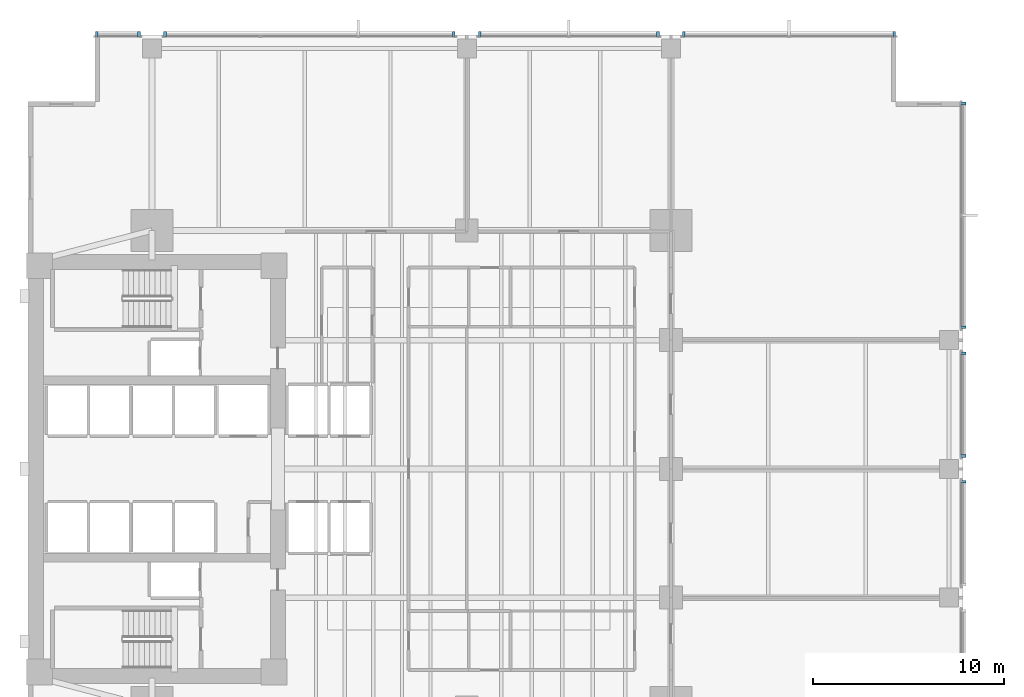
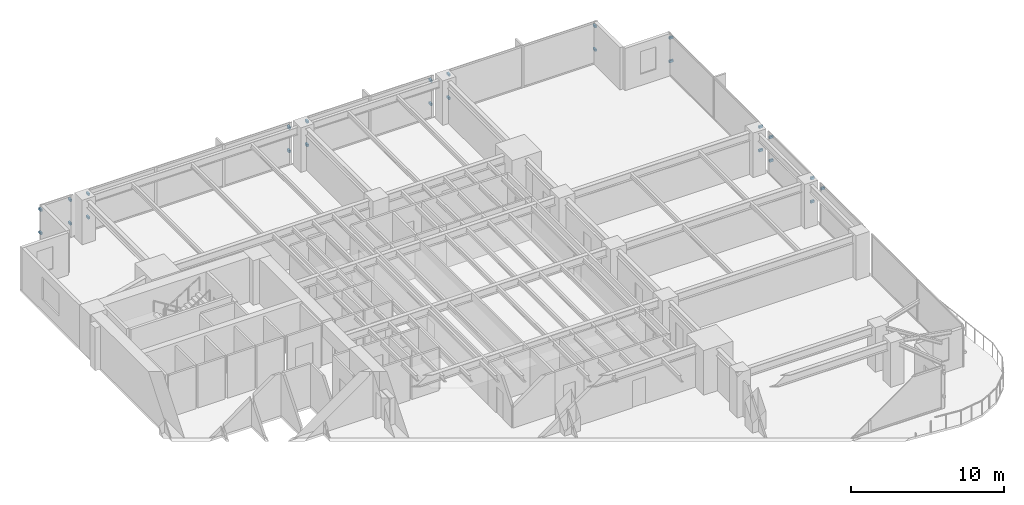
# One storey, part 11 of 15: 25 discrete accessories.
"""IFC4 building model written with IfcOpenShell, lengths in metres."""

from ifc_helpers import new_model, si_unit, direction, frame, origin, origin_2d, place, context, subcontext, project, spatial, rectangle, extrude, material, type_object, element, save


model = new_model("IFC4")

# Units and contexts
model_context = context("Model", 3, precision=1e-05, world=origin(), true_north=direction((0.0, 1.0)))
body_context = subcontext(model_context, "Body", "Model", "MODEL_VIEW")
ifc_project = project(units=[si_unit("LENGTHUNIT", "METRE"), si_unit("AREAUNIT", "SQUARE_METRE"), si_unit("VOLUMEUNIT", "CUBIC_METRE"), si_unit("PLANEANGLEUNIT", "RADIAN"), si_unit("MASSUNIT", "GRAM", prefix="KILO")], contexts=[model_context])

# Site, building, storey
site_placement = place(None, origin())
site = spatial("IfcSite", under=ifc_project, at=site_placement, CompositionType="ELEMENT")
building_placement = place(site_placement, origin())
building = spatial("IfcBuilding", under=site, at=building_placement, Name="Kinhvarn Gate Tower", CompositionType="ELEMENT")
storey_placement = place(building_placement, frame((0.0, 0.0, 32.699951171875)))
storey = spatial("IfcBuildingStorey", under=building, at=storey_placement, Name="L07", CompositionType="ELEMENT", Elevation=32.699951171875)

# Discrete accessories
ifc_material = material(Name="Anodised aluminium AW-6063", Category="aluminium")
discrete_accessory_type = type_object("IfcDiscreteAccessoryType", Name="ACC-BRK-01", PredefinedType="BRACKET", material=ifc_material)
for number, where, z_axis, x_axis, name in (
    (1, (49.89990234375, 48.0400390625, 0.9599609375), (0.0, 0.0, 1.0), (-1.0, 0.0, 0.0), "Baguette Support Bracket BK-01 (L07)"),
    (2, (49.89990234375, 48.0400390625, 2.830078125), (0.0, 0.0, 1.0), (-1.0, 0.0, 0.0), "Baguette Support Bracket BK-01 (L07)"),
    (3, (38.8798828125, 48.0400390625, 0.9599609375), (0.0, 0.0, 1.0), (-1.0, 0.0, 0.0), "Baguette Support Bracket BK-01 (L07)"),
    (4, (38.8798828125, 48.0400390625, 2.830078125), (0.0, 0.0, 1.0), (-1.0, 0.0, 0.0), "Baguette Support Bracket BK-01 (L07)"),
    (5, (37.52001953125, 48.0400390625, 0.9599609375), (0.0, 0.0, 1.0), (-1.0, 0.0, 0.0), "Baguette Support Bracket BK-01 (L07)"),
    (6, (37.52001953125, 48.0400390625, 2.830078125), (0.0, 0.0, 1.0), (-1.0, 0.0, 0.0), "Baguette Support Bracket BK-01 (L07)"),
    (7, (28.179931640625, 48.0400390625, 0.9599609375), (0.0, 0.0, 1.0), (-1.0, 0.0, 0.0), "Baguette Support Bracket BK-01 (L07)"),
    (8, (28.179931640625, 48.0400390625, 2.830078125), (0.0, 0.0, 1.0), (-1.0, 0.0, 0.0), "Baguette Support Bracket BK-01 (L07)"),
    (9, (26.820068359375, 48.0400390625, 0.9599609375), (0.0, 0.0, 1.0), (-1.0, 0.0, 0.0), "Baguette Support Bracket BK-01 (L07)"),
    (10, (26.820068359375, 48.0400390625, 2.830078125), (0.0, 0.0, 1.0), (-1.0, 0.0, 0.0), "Baguette Support Bracket BK-01 (L07)"),
    (11, (11.679931640625, 48.0400390625, 0.9599609375), (0.0, 0.0, 1.0), (-1.0, 0.0, 0.0), "Baguette Support Bracket BK-01 (L07)"),
    (12, (11.679931640625, 48.0400390625, 2.830078125), (0.0, 0.0, 1.0), (-1.0, 0.0, 0.0), "Baguette Support Bracket BK-01 (L07)"),
    (13, (10.320068359375, 48.0400390625, 0.9599609375), (0.0, 0.0, 1.0), (-1.0, 0.0, 0.0), "Baguette Support Bracket BK-01 (L07)"),
    (14, (10.320068359375, 48.0400390625, 2.830078125), (0.0, 0.0, 1.0), (-1.0, 0.0, 0.0), "Baguette Support Bracket BK-01 (L07)"),
    (15, (8.10009765625, 48.0400390625, 0.9599609375), (0.0, 0.0, 1.0), (-1.0, 0.0, 0.0), "Baguette Support Bracket BK-01 (L07)"),
    (16, (8.10009765625, 48.0400390625, 2.830078125), (0.0, 0.0, 1.0), (-1.0, 0.0, 0.0), "Baguette Support Bracket BK-01 (L07)"),
    (17, (53.5400390625, 24.570068359375, 2.830078125), (0.0, 0.0, 1.0), (0.0, 1.0, 0.0), "Baguette Support Bracket BK-01 (L07)"),
    (18, (53.5400390625, 25.929931640625, 0.9599609375), (0.0, 0.0, 1.0), (0.0, 1.0, 0.0), "Baguette Support Bracket BK-01 (L07)"),
    (19, (53.5400390625, 25.929931640625, 2.830078125), (0.0, 0.0, 1.0), (0.0, 1.0, 0.0), "Baguette Support Bracket BK-01 (L07)"),
    (20, (53.5400390625, 31.320068359375, 0.9599609375), (0.0, 0.0, 1.0), (0.0, 1.0, 0.0), "Baguette Support Bracket BK-01 (L07)"),
    (21, (53.5400390625, 31.320068359375, 2.830078125), (0.0, 0.0, 1.0), (0.0, 1.0, 0.0), "Baguette Support Bracket BK-01 (L07)"),
    (22, (53.5400390625, 32.679931640625, 0.9599609375), (0.0, 0.0, 1.0), (0.0, 1.0, 0.0), "Baguette Support Bracket BK-01 (L07)"),
    (23, (53.5400390625, 32.679931640625, 2.830078125), (0.0, 0.0, 1.0), (0.0, 1.0, 0.0), "Baguette Support Bracket BK-01 (L07)"),
    (24, (53.5400390625, 44.39990234375, 0.9599609375), (0.0, 0.0, 1.0), (0.0, 1.0, 0.0), "Baguette Support Bracket BK-01 (L07)"),
    (25, (53.5400390625, 44.39990234375, 2.830078125), (0.0, 0.0, 1.0), (0.0, 1.0, 0.0), "Baguette Support Bracket BK-01 (L07)"),
):
    element("IfcDiscreteAccessory", number, at=place(storey_placement, frame(where, z_axis=z_axis, x_axis=x_axis)), inside=storey, type_object=discrete_accessory_type, Name=name, PredefinedType="BRACKET", context=body_context, shape_type="SweptSolid", body=[
        extrude(rectangle(XDim=0.139892578125, YDim=0.280029296875, at=origin_2d()), origin(), (0.0, 0.0, 1.0), 0.179931640625),
    ])

save(model, "model.ifc")
